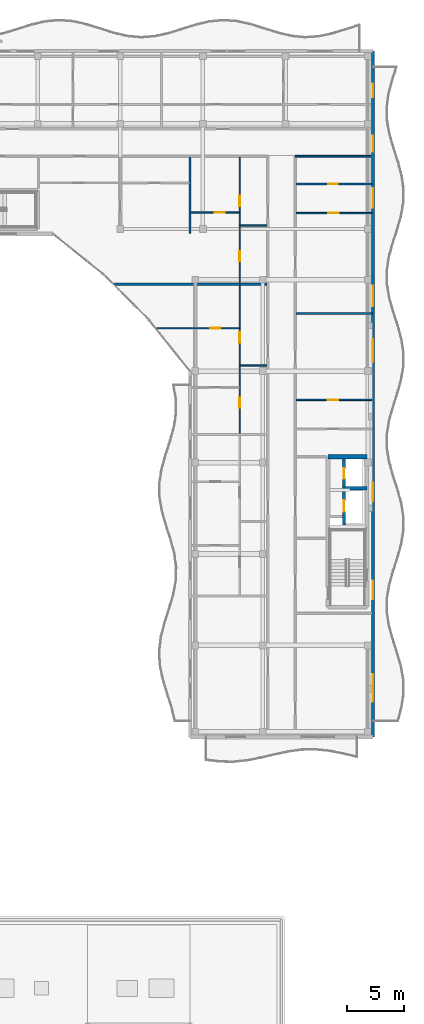
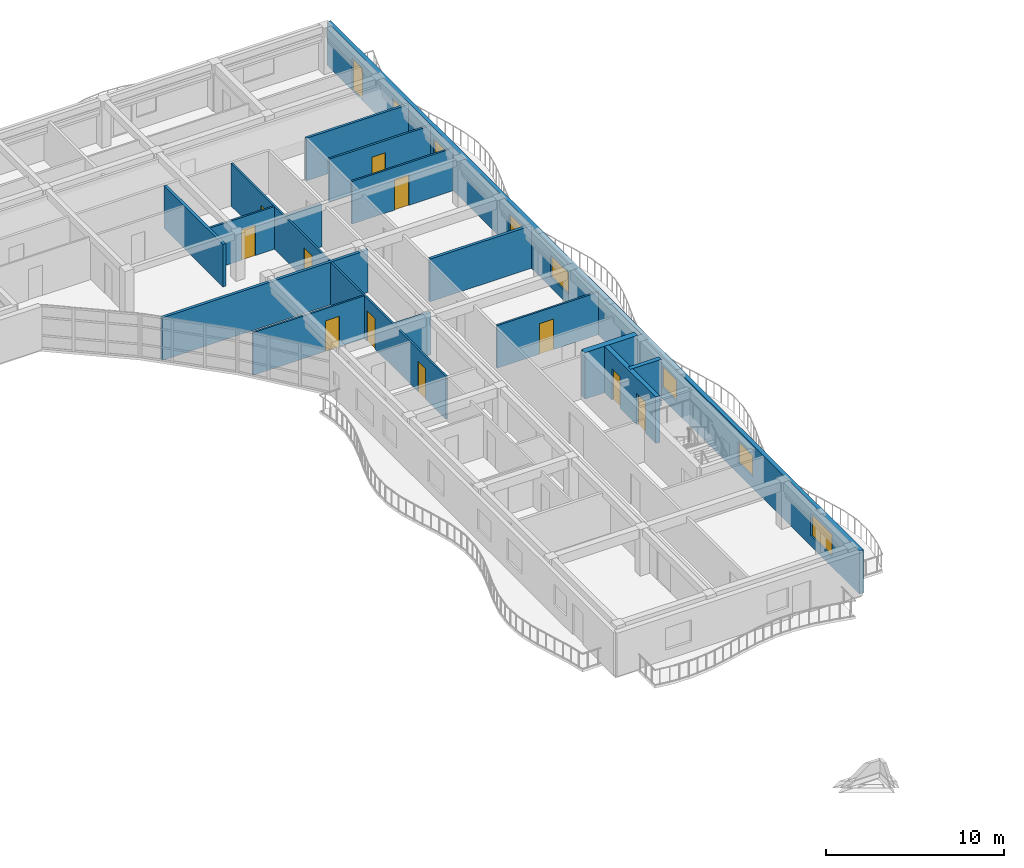
# One storey, part 52 of 79: 17 walls, 12 doors, 7 windows, 19 openings.
"""IFC4 building model written with IfcOpenShell, lengths in metres."""

from ifc_helpers import new_model, si_unit, direction, frame, frame_2d, origin, place, context, subcontext, project, spatial, rectangle, extrude, material, layer, layer_set, type_object, element, fill, save


model = new_model("IFC4")

# Units and contexts
model_context = context("Model", 3, precision=1e-05, world=origin(), true_north=direction((0.0, 1.0)))
body_context = subcontext(model_context, "Body", "Model", "MODEL_VIEW")
ifc_project = project(units=[si_unit("LENGTHUNIT", "METRE"), si_unit("AREAUNIT", "SQUARE_METRE"), si_unit("VOLUMEUNIT", "CUBIC_METRE"), si_unit("PLANEANGLEUNIT", "RADIAN"), si_unit("MASSUNIT", "GRAM", prefix="KILO")], contexts=[model_context])

# Site, building, storey
site_placement = place(None, origin())
site = spatial("IfcSite", under=ifc_project, at=site_placement, CompositionType="ELEMENT")
building_placement = place(site_placement, origin())
building = spatial("IfcBuilding", under=site, at=building_placement, Name="Keldmere Railside Commons", CompositionType="ELEMENT")
storey_placement = place(building_placement, frame((0.0, 0.0, 10.56005859375)))
storey = spatial("IfcBuildingStorey", under=building, at=storey_placement, Name="L03", CompositionType="ELEMENT", Elevation=10.56005859375)

# Walls
ifc_material_1 = material(Name="Acoustic Gypsum Board Partition", Category="gypsum")
ifc_layer_1 = layer(ifc_material_1, 0.179931640625, Name="Acoustic Demising Partition 180")
ifc_layer_set_1 = layer_set([ifc_layer_1], Name="Acoustic Gypsum Board Partition")
wall_type_1 = type_object("IfcWallType", Name="Acoustic Demising Partition 180", PredefinedType="PARTITIONING", material=ifc_layer_set_1)
wall_1_placement = place(storey_placement, frame((168.0, 100.050048828125, 0.0), z_axis=(0.0, 0.0, 1.0), x_axis=(0.0, 1.0, 0.0)))
element("IfcWall", 1, at=wall_1_placement, inside=storey, type_object=wall_type_1, Name="IW-1 IW-L03-1514", PredefinedType="PARTITIONING", context=body_context, shape_type="SweptSolid", body=[
    extrude(rectangle(XDim=6.669921875, YDim=0.179931640625, at=frame_2d((3.3349609375, 0.0))), origin(), (0.0, 0.0, 1.0), 2.93505859375),
])
wall_2_placement = place(storey_placement, frame((161.33251953125, 95.60009765625, 0.0), z_axis=(0.0, 0.0, 1.0), x_axis=(1.0, 0.0, 0.0)))
element("IfcWall", 2, at=wall_2_placement, inside=storey, type_object=wall_type_1, Name="IW-1 IW-L03-1519", PredefinedType="PARTITIONING", context=body_context, shape_type="SweptSolid", body=[
    extrude(rectangle(XDim=13.387451171875, YDim=0.179931640625, at=frame_2d((6.69384765625, 0.0))), origin(), (0.0, 0.0, 1.0), 2.93505859375),
])
wall_3_placement = place(storey_placement, frame((177.280029296875, 93.050048828125, 0.0), z_axis=(0.0, 0.0, 1.0), x_axis=(1.0, 0.0, 0.0)))
element("IfcWall", 3, at=wall_3_placement, inside=storey, type_object=wall_type_1, Name="IW-1 IW-L03-1541", PredefinedType="PARTITIONING", context=body_context, shape_type="SweptSolid", body=[
    extrude(rectangle(XDim=6.679931640625, YDim=0.179931640625, at=frame_2d((3.33984375, 0.0))), origin(), (0.0, 0.0, 1.0), 2.93505859375),
])

# Wall, openings, doors
ifc_layer_2 = layer(ifc_material_1, 0.1201171875, Name="Apartment Interior Partition 120")
ifc_layer_set_2 = layer_set([ifc_layer_2], Name="Acoustic Gypsum Board Partition")
wall_type_2 = type_object("IfcWallType", Name="Apartment Interior Partition 120", PredefinedType="PARTITIONING", material=ifc_layer_set_2)
wall_4_placement = place(storey_placement, frame((172.340087890625, 82.550048828125, 0.0), z_axis=(0.0, 0.0, 1.0), x_axis=(0.0, 1.0, 0.0)))
wall_4 = element("IfcWall", 4, at=wall_4_placement, inside=storey, type_object=wall_type_2, Name="IW-4 IW-L03-1524", PredefinedType="PARTITIONING", context=body_context, shape_type="SweptSolid", body=[
    extrude(rectangle(XDim=12.9599609375, YDim=0.1201171875, at=frame_2d((6.47998046875, 0.0))), origin(), (0.0, 0.0, 1.0), 2.93505859375),
])
opening_1_placement = place(wall_4_placement, frame((2.264892578125, 0.0, 0.0)))
opening_1 = element("IfcOpeningElement", 5, at=opening_1_placement, cuts=wall_4, Name="Opening ID-04", PredefinedType="OPENING", context=body_context, shape_type="SweptSolid", body=[
    extrude(rectangle(XDim=0.860107421875, YDim=2.10009765625, at=frame_2d((0.43017578125, 1.050048828125))), frame((0.0, 0.070068359375, 0.0), z_axis=(0.0, -1.0, 0.0), x_axis=(1.0, 0.0, 0.0)), (0.0, 0.0, 1.0), 0.14013671875),
])
opening_2_placement = place(wall_4_placement, frame((7.919921875, 0.0, 0.0)))
opening_2 = element("IfcOpeningElement", 6, at=opening_2_placement, cuts=wall_4, Name="Opening ID-03", PredefinedType="OPENING", context=body_context, shape_type="SweptSolid", body=[
    extrude(rectangle(XDim=0.919921875, YDim=2.10009765625, at=frame_2d((0.4599609375, 1.050048828125))), frame((0.0, 0.070068359375, 0.0), z_axis=(0.0, -1.0, 0.0), x_axis=(1.0, 0.0, 0.0)), (0.0, 0.0, 1.0), 0.14013671875),
])
ifc_material_2 = material(Name="Engineered Oak Timber", Category="wood")
door_type_1 = type_object("IfcDoorType", Name="Apartment Bathroom Door 860x2100", OperationType="NOTDEFINED", PredefinedType="DOOR", material=ifc_material_2)
door_1_placement = place(opening_1_placement, origin())
door_1 = element("IfcDoor", 7, at=door_1_placement, inside=storey, type_object=door_type_1, Name="ID-04 IDR-L03-1368", OperationType="SINGLE_SWING_RIGHT", OverallHeight=2.10009765625, OverallWidth=0.860107421875, PredefinedType="DOOR", context=body_context, shape_type="SweptSolid", body=[
    extrude(rectangle(XDim=0.860107421875, YDim=2.10009765625, at=frame_2d((0.43017578125, 1.050048828125))), frame((0.0, 0.02490234375, 0.0), z_axis=(0.0, -1.0, 0.0), x_axis=(1.0, 0.0, 0.0)), (0.0, 0.0, 1.0), 0.050048828125),
])
fill(opening_1, door_1)
door_type_2 = type_object("IfcDoorType", Name="Kitchen Pocket-Frame Swing Door 920x2100", OperationType="NOTDEFINED", PredefinedType="DOOR", material=ifc_material_2)
door_2_placement = place(opening_2_placement, origin())
door_2 = element("IfcDoor", 8, at=door_2_placement, inside=storey, type_object=door_type_2, Name="ID-03 IDR-L03-1369", OperationType="SINGLE_SWING_LEFT", OverallHeight=2.10009765625, OverallWidth=0.919921875, PredefinedType="DOOR", context=body_context, shape_type="SweptSolid", body=[
    extrude(rectangle(XDim=0.919921875, YDim=2.10009765625, at=frame_2d((0.4599609375, 1.050048828125))), frame((0.0, 0.02490234375, 0.0), z_axis=(0.0, -1.0, 0.0), x_axis=(1.0, 0.0, 0.0)), (0.0, 0.0, 1.0), 0.050048828125),
])
fill(opening_2, door_2)

# Wall, opening, door
wall_5_placement = place(storey_placement, frame((165.042724609375, 91.75, 0.0), z_axis=(0.0, 0.0, 1.0), x_axis=(1.0, 0.0, 0.0)))
wall_5 = element("IfcWall", 9, at=wall_5_placement, inside=storey, type_object=wall_type_2, Name="IW-4 IW-L03-1527", PredefinedType="PARTITIONING", context=body_context, shape_type="SweptSolid", body=[
    extrude(rectangle(XDim=7.2373046875, YDim=0.1201171875, at=frame_2d((3.61865234375, 0.0))), origin(), (0.0, 0.0, 1.0), 2.93505859375),
])
opening_3_placement = place(wall_5_placement, frame((4.721923828125, 0.0, 0.0)))
opening_3 = element("IfcOpeningElement", 10, at=opening_3_placement, cuts=wall_5, Name="Opening ID-02", PredefinedType="OPENING", context=body_context, shape_type="SweptSolid", body=[
    extrude(rectangle(XDim=0.8798828125, YDim=2.10009765625, at=frame_2d((0.43994140625, 1.050048828125))), frame((0.0, 0.070068359375, 0.0), z_axis=(0.0, -1.0, 0.0), x_axis=(1.0, 0.0, 0.0)), (0.0, 0.0, 1.0), 0.14013671875),
])
door_type_3 = type_object("IfcDoorType", Name="Secondary Bedroom Door 880x2100", OperationType="NOTDEFINED", PredefinedType="DOOR", material=ifc_material_2)
door_3_placement = place(opening_3_placement, origin())
door_3 = element("IfcDoor", 11, at=door_3_placement, inside=storey, type_object=door_type_3, Name="ID-02 IDR-L03-1372", OperationType="SINGLE_SWING_RIGHT", OverallHeight=2.10009765625, OverallWidth=0.8798828125, PredefinedType="DOOR", context=body_context, shape_type="SweptSolid", body=[
    extrude(rectangle(XDim=0.8798828125, YDim=2.10009765625, at=frame_2d((0.43994140625, 1.050048828125))), frame((0.0, 0.02490234375, 0.0), z_axis=(0.0, -1.0, 0.0), x_axis=(1.0, 0.0, 0.0)), (0.0, 0.0, 1.0), 0.050048828125),
])
fill(opening_3, door_3)

# Wall, openings, doors
wall_6_placement = place(storey_placement, frame((172.340087890625, 95.68994140625, 0.0), z_axis=(0.0, 0.0, 1.0), x_axis=(0.0, 1.0, 0.0)))
wall_6 = element("IfcWall", 12, at=wall_6_placement, inside=storey, type_object=wall_type_2, Name="IW-4 IW-L03-1528", PredefinedType="PARTITIONING", context=body_context, shape_type="SweptSolid", body=[
    extrude(rectangle(XDim=11.030029296875, YDim=0.1201171875, at=frame_2d((5.51513671875, 0.0))), origin(), (0.0, 0.0, 1.0), 2.93505859375),
])
opening_4_placement = place(wall_6_placement, frame((1.926513671875, 0.0, 0.0)))
opening_4 = element("IfcOpeningElement", 13, at=opening_4_placement, cuts=wall_6, Name="Opening ID-04", PredefinedType="OPENING", context=body_context, shape_type="SweptSolid", body=[
    extrude(rectangle(XDim=0.860107421875, YDim=2.10009765625, at=frame_2d((0.43017578125, 1.050048828125))), frame((0.0, 0.070068359375, 0.0), z_axis=(0.0, -1.0, 0.0), x_axis=(1.0, 0.0, 0.0)), (0.0, 0.0, 1.0), 0.14013671875),
])
opening_5_placement = place(wall_6_placement, frame((6.73876953125, 0.0, 0.0)))
opening_5 = element("IfcOpeningElement", 14, at=opening_5_placement, cuts=wall_6, Name="Opening ID-03", PredefinedType="OPENING", context=body_context, shape_type="SweptSolid", body=[
    extrude(rectangle(XDim=0.919921875, YDim=2.10009765625, at=frame_2d((0.4599609375, 1.050048828125))), frame((0.0, 0.070068359375, 0.0), z_axis=(0.0, -1.0, 0.0), x_axis=(1.0, 0.0, 0.0)), (0.0, 0.0, 1.0), 0.14013671875),
])
door_4_placement = place(opening_4_placement, origin())
door_4 = element("IfcDoor", 15, at=door_4_placement, inside=storey, type_object=door_type_1, Name="ID-04 IDR-L03-1373", OperationType="SINGLE_SWING_LEFT", OverallHeight=2.10009765625, OverallWidth=0.860107421875, PredefinedType="DOOR", context=body_context, shape_type="SweptSolid", body=[
    extrude(rectangle(XDim=0.860107421875, YDim=2.10009765625, at=frame_2d((0.43017578125, 1.050048828125))), frame((0.0, 0.02490234375, 0.0), z_axis=(0.0, -1.0, 0.0), x_axis=(1.0, 0.0, 0.0)), (0.0, 0.0, 1.0), 0.050048828125),
])
fill(opening_4, door_4)
door_5_placement = place(opening_5_placement, origin())
door_5 = element("IfcDoor", 16, at=door_5_placement, inside=storey, type_object=door_type_2, Name="ID-03 IDR-L03-1374", OperationType="SINGLE_SWING_RIGHT", OverallHeight=2.10009765625, OverallWidth=0.919921875, PredefinedType="DOOR", context=body_context, shape_type="SweptSolid", body=[
    extrude(rectangle(XDim=0.919921875, YDim=2.10009765625, at=frame_2d((0.4599609375, 1.050048828125))), frame((0.0, 0.02490234375, 0.0), z_axis=(0.0, -1.0, 0.0), x_axis=(1.0, 0.0, 0.0)), (0.0, 0.0, 1.0), 0.050048828125),
])
fill(opening_5, door_5)

# Wall, opening, door
wall_7_placement = place(storey_placement, frame((168.090087890625, 101.8701171875, 0.0), z_axis=(0.0, 0.0, 1.0), x_axis=(1.0, 0.0, 0.0)))
wall_7 = element("IfcWall", 17, at=wall_7_placement, inside=storey, type_object=wall_type_2, Name="IW-4 IW-L03-1530", PredefinedType="PARTITIONING", context=body_context, shape_type="SweptSolid", body=[
    extrude(rectangle(XDim=4.18994140625, YDim=0.1201171875, at=frame_2d((2.094970703125, 0.0))), origin(), (0.0, 0.0, 1.0), 2.93505859375),
])
opening_6_placement = place(wall_7_placement, frame((2.044921875, 0.0, 0.0)))
opening_6 = element("IfcOpeningElement", 18, at=opening_6_placement, cuts=wall_7, Name="Opening ID-01", PredefinedType="OPENING", context=body_context, shape_type="SweptSolid", body=[
    extrude(rectangle(XDim=0.89990234375, YDim=2.10009765625, at=frame_2d((0.449951171875, 1.050048828125))), frame((0.0, 0.070068359375, 0.0), z_axis=(0.0, -1.0, 0.0), x_axis=(1.0, 0.0, 0.0)), (0.0, 0.0, 1.0), 0.14013671875),
])
door_type_4 = type_object("IfcDoorType", Name="Primary Bedroom Door 900x2100", OperationType="NOTDEFINED", PredefinedType="DOOR", material=ifc_material_2)
door_6_placement = place(opening_6_placement, origin())
door_6 = element("IfcDoor", 19, at=door_6_placement, inside=storey, type_object=door_type_4, Name="ID-01 IDR-L03-1376", OperationType="SINGLE_SWING_RIGHT", OverallHeight=2.10009765625, OverallWidth=0.89990234375, PredefinedType="DOOR", context=body_context, shape_type="SweptSolid", body=[
    extrude(rectangle(XDim=0.89990234375, YDim=2.10009765625, at=frame_2d((0.449951171875, 1.050048828125))), frame((0.0, 0.02490234375, 0.0), z_axis=(0.0, -1.0, 0.0), x_axis=(1.0, 0.0, 0.0)), (0.0, 0.0, 1.0), 0.050048828125),
])
fill(opening_6, door_6)

wall_8_placement = place(storey_placement, frame((177.280029296875, 85.47998046875, 0.0), z_axis=(0.0, 0.0, 1.0), x_axis=(1.0, 0.0, 0.0)))
wall_8 = element("IfcWall", 20, at=wall_8_placement, inside=storey, type_object=wall_type_2, Name="IW-4 IW-L03-1543", PredefinedType="PARTITIONING", context=body_context, shape_type="SweptSolid", body=[
    extrude(rectangle(XDim=6.590087890625, YDim=0.1201171875, at=frame_2d((3.294921875, 0.0))), origin(), (0.0, 0.0, 1.0), 2.93505859375),
])
opening_7_placement = place(wall_8_placement, frame((2.767822265625, 0.0, 0.0)))
opening_7 = element("IfcOpeningElement", 21, at=opening_7_placement, cuts=wall_8, Name="Opening ID-03", PredefinedType="OPENING", context=body_context, shape_type="SweptSolid", body=[
    extrude(rectangle(XDim=0.919921875, YDim=2.10009765625, at=frame_2d((0.4599609375, 1.050048828125))), frame((0.0, 0.070068359375, 0.0), z_axis=(0.0, -1.0, 0.0), x_axis=(1.0, 0.0, 0.0)), (0.0, 0.0, 1.0), 0.14013671875),
])
door_7_placement = place(opening_7_placement, origin())
door_7 = element("IfcDoor", 22, at=door_7_placement, inside=storey, type_object=door_type_2, Name="ID-03 IDR-L03-1393", OperationType="SINGLE_SWING_LEFT", OverallHeight=2.10009765625, OverallWidth=0.919921875, PredefinedType="DOOR", context=body_context, shape_type="SweptSolid", body=[
    extrude(rectangle(XDim=0.919921875, YDim=2.10009765625, at=frame_2d((0.4599609375, 1.050048828125))), frame((0.0, 0.02490234375, 0.0), z_axis=(0.0, -1.0, 0.0), x_axis=(1.0, 0.0, 0.0)), (0.0, 0.0, 1.0), 0.050048828125),
])
fill(opening_7, door_7)

wall_9_placement = place(storey_placement, frame((177.280029296875, 101.820068359375, 0.0), z_axis=(0.0, 0.0, 1.0), x_axis=(1.0, 0.0, 0.0)))
wall_9 = element("IfcWall", 23, at=wall_9_placement, inside=storey, type_object=wall_type_2, Name="IW-4 IW-L03-1544", PredefinedType="PARTITIONING", context=body_context, shape_type="SweptSolid", body=[
    extrude(rectangle(XDim=6.6298828125, YDim=0.1201171875, at=frame_2d((3.31494140625, 0.0))), origin(), (0.0, 0.0, 1.0), 2.93505859375),
])
opening_8_placement = place(wall_9_placement, frame((2.78466796875, 0.0, 0.0)))
opening_8 = element("IfcOpeningElement", 24, at=opening_8_placement, cuts=wall_9, Name="Opening ID-03", PredefinedType="OPENING", context=body_context, shape_type="SweptSolid", body=[
    extrude(rectangle(XDim=0.919921875, YDim=2.10009765625, at=frame_2d((0.4599609375, 1.050048828125))), frame((0.0, 0.070068359375, 0.0), z_axis=(0.0, -1.0, 0.0), x_axis=(1.0, 0.0, 0.0)), (0.0, 0.0, 1.0), 0.14013671875),
])
door_8_placement = place(opening_8_placement, origin())
door_8 = element("IfcDoor", 25, at=door_8_placement, inside=storey, type_object=door_type_2, Name="ID-03 IDR-L03-1396", OperationType="SINGLE_SWING_RIGHT", OverallHeight=2.10009765625, OverallWidth=0.919921875, PredefinedType="DOOR", context=body_context, shape_type="SweptSolid", body=[
    extrude(rectangle(XDim=0.919921875, YDim=2.10009765625, at=frame_2d((0.4599609375, 1.050048828125))), frame((0.0, 0.02490234375, 0.0), z_axis=(0.0, -1.0, 0.0), x_axis=(1.0, 0.0, 0.0)), (0.0, 0.0, 1.0), 0.050048828125),
])
fill(opening_8, door_8)

# Wall
ifc_material_3 = material(Name="Concrete H-35 (C35/45)", Category="concrete")
ifc_layer_3 = layer(ifc_material_3, 0.280029296875, Name="Core Shear Wall 280")
ifc_layer_set_3 = layer_set([ifc_layer_3], Name="Concrete H-35 (C35/45)")
wall_type_3 = type_object("IfcWallType", Name="Core Shear Wall 280", PredefinedType="SHEAR", material=ifc_layer_set_3)
wall_10_placement = place(storey_placement, frame((181.469970703125, 77.75, 0.0), z_axis=(0.0, 0.0, 1.0), x_axis=(1.0, 0.0, 0.0)))
element("IfcWall", 26, at=wall_10_placement, inside=storey, type_object=wall_type_3, Name="CSW-2 COREAL-L03-0749", PredefinedType="SHEAR", context=body_context, shape_type="SweptSolid", body=[
    extrude(rectangle(XDim=2.0, YDim=0.280029296875, at=frame_2d((1.0, 0.0))), origin(), (0.0, 0.0, 1.0), 3.199951171875),
])

# Wall, openings, doors
wall_11_placement = place(storey_placement, frame((181.469970703125, 74.550048828125, 0.0), z_axis=(0.0, 0.0, 1.0), x_axis=(0.0, 1.0, 0.0)))
wall_11 = element("IfcWall", 27, at=wall_11_placement, inside=storey, type_object=wall_type_3, Name="CSW-2 LSHA-L03-0750", PredefinedType="SHEAR", context=body_context, shape_type="SweptSolid", body=[
    extrude(rectangle(XDim=5.949951171875, YDim=0.280029296875, at=frame_2d((2.97509765625, 0.0))), origin(), (0.0, 0.0, 1.0), 3.199951171875),
])
opening_9_placement = place(wall_11_placement, frame((1.14990234375, 0.0, 0.0)))
opening_9 = element("IfcOpeningElement", 28, at=opening_9_placement, cuts=wall_11, Name="Opening LD-1", PredefinedType="OPENING", context=body_context, shape_type="SweptSolid", body=[
    extrude(rectangle(XDim=1.0, YDim=2.14990234375, at=frame_2d((0.5, 1.074951171875))), frame((0.0, 0.14990234375, 0.0), z_axis=(0.0, -1.0, 0.0), x_axis=(1.0, 0.0, 0.0)), (0.0, 0.0, 1.0), 0.300048828125),
])
opening_10_placement = place(wall_11_placement, frame((4.050048828125, 0.0, 0.0)))
opening_10 = element("IfcOpeningElement", 29, at=opening_10_placement, cuts=wall_11, Name="Opening LD-2", PredefinedType="OPENING", context=body_context, shape_type="SweptSolid", body=[
    extrude(rectangle(XDim=0.89990234375, YDim=2.14990234375, at=frame_2d((0.449951171875, 1.074951171875))), frame((0.0, 0.14990234375, 0.0), z_axis=(0.0, -1.0, 0.0), x_axis=(1.0, 0.0, 0.0)), (0.0, 0.0, 1.0), 0.300048828125),
])
ifc_material_4 = material(Name="Steel F-24 (S235)", Category="steel")
door_type_5 = type_object("IfcDoorType", Name="Firefighting Stretcher Lift Landing Door 1000x2150", OperationType="SLIDING_TO_LEFT", PredefinedType="DOOR", material=ifc_material_4)
door_9_placement = place(opening_9_placement, origin())
door_9 = element("IfcDoor", 30, at=door_9_placement, inside=storey, type_object=door_type_5, Name="LD-1 A L03", OperationType="SLIDING_TO_LEFT", OverallHeight=2.14990234375, OverallWidth=1.0, PredefinedType="DOOR", context=body_context, shape_type="SweptSolid", body=[
    extrude(rectangle(XDim=1.0, YDim=2.14990234375, at=frame_2d((0.5, 1.074951171875))), frame((0.0, 0.02490234375, 0.0), z_axis=(0.0, -1.0, 0.0), x_axis=(1.0, 0.0, 0.0)), (0.0, 0.0, 1.0), 0.050048828125),
])
fill(opening_9, door_9)
door_type_6 = type_object("IfcDoorType", Name="Passenger Lift Sliding Landing Door 900x2150", OperationType="SLIDING_TO_RIGHT", PredefinedType="DOOR", material=ifc_material_4)
door_10_placement = place(opening_10_placement, origin())
door_10 = element("IfcDoor", 31, at=door_10_placement, inside=storey, type_object=door_type_6, Name="LD-2 A L03", OperationType="SLIDING_TO_RIGHT", OverallHeight=2.14990234375, OverallWidth=0.89990234375, PredefinedType="DOOR", context=body_context, shape_type="SweptSolid", body=[
    extrude(rectangle(XDim=0.89990234375, YDim=2.14990234375, at=frame_2d((0.449951171875, 1.074951171875))), frame((0.0, 0.02490234375, 0.0), z_axis=(0.0, -1.0, 0.0), x_axis=(1.0, 0.0, 0.0)), (0.0, 0.0, 1.0), 0.050048828125),
])
fill(opening_10, door_10)

# Walls
ifc_material_5 = material(Name="Concrete H-40 (C40/50)", Category="concrete")
ifc_layer_4 = layer(ifc_material_5, 0.3798828125, Name="Core Shear Wall 380")
ifc_layer_set_4 = layer_set([ifc_layer_4], Name="Concrete H-40 (C40/50)")
wall_type_4 = type_object("IfcWallType", Name="Core Shear Wall 380", PredefinedType="SHEAR", material=ifc_layer_set_4)
wall_12_placement = place(storey_placement, frame((180.06005859375, 80.5, 0.0), z_axis=(0.0, 0.0, 1.0), x_axis=(1.0, 0.0, 0.0)))
element("IfcWall", 32, at=wall_12_placement, inside=storey, type_object=wall_type_4, Name="CW-CORE COREAN-L03-0745", PredefinedType="SHEAR", context=body_context, shape_type="SweptSolid", body=[
    extrude(rectangle(XDim=3.409912109375, YDim=0.3798828125, at=frame_2d((1.705078125, 0.0))), origin(), (0.0, 0.0, 1.0), 3.199951171875),
])
ifc_layer_5 = layer(ifc_material_1, 0.159912109375, Name="Corridor Fire Partition 160")
ifc_layer_set_5 = layer_set([ifc_layer_5], Name="Acoustic Gypsum Board Partition")
wall_type_5 = type_object("IfcWallType", Name="Corridor Fire Partition 160", PredefinedType="PARTITIONING", material=ifc_layer_set_5)
wall_13_placement = place(storey_placement, frame((177.199951171875, 106.800048828125, 0.0), z_axis=(0.0, 0.0, 1.0), x_axis=(1.0, 0.0, 0.0)))
element("IfcWall", 33, at=wall_13_placement, inside=storey, type_object=wall_type_5, Name="IW-2 IW-L03-1512", PredefinedType="PARTITIONING", context=body_context, shape_type="SweptSolid", body=[
    extrude(rectangle(XDim=6.6201171875, YDim=0.159912109375, at=frame_2d((3.31005859375, 0.0))), origin(), (0.0, 0.0, 1.0), 2.93505859375),
])

# Wall, openings, door, windows
ifc_material_6 = material(Name="Terracotta Brick Masonry", Category="masonry")
ifc_layer_6 = layer(ifc_material_6, 0.260009765625, Name="Terracotta Cavity Wall 260")
ifc_layer_set_6 = layer_set([ifc_layer_6], Name="Terracotta Brick Masonry")
wall_type_6 = type_object("IfcWallType", Name="Terracotta Cavity Wall 260", PredefinedType="SOLIDWALL", material=ifc_layer_set_6)
wall_14_placement = place(storey_placement, frame((184.0, 116.0, 0.0), z_axis=(0.0, 0.0, 1.0), x_axis=(0.0, -1.0, 0.0)))
wall_14 = element("IfcWall", 34, at=wall_14_placement, inside=storey, type_object=wall_type_6, Name="EW-1 EXTA-L03-0897", PredefinedType="SOLIDWALL", context=body_context, shape_type="SweptSolid", body=[
    extrude(rectangle(XDim=60.0, YDim=0.260009765625, at=frame_2d((30.0, 0.0))), origin(), (0.0, 0.0, 1.0), 2.97998046875),
])
opening_11_placement = place(wall_14_placement, frame((2.835693359375, 0.0, 0.0)))
opening_11 = element("IfcOpeningElement", 35, at=opening_11_placement, cuts=wall_14, Name="Opening BD-01", PredefinedType="OPENING", context=body_context, shape_type="SweptSolid", body=[
    extrude(rectangle(XDim=1.199951171875, YDim=2.199951171875, at=frame_2d((0.60009765625, 1.10009765625))), frame((0.0, 0.139892578125, 0.0), z_axis=(0.0, -1.0, 0.0), x_axis=(1.0, 0.0, 0.0)), (0.0, 0.0, 1.0), 0.280029296875),
])
opening_12_placement = place(wall_14_placement, frame((7.3857421875, 0.0, 0.8701171875)))
opening_12 = element("IfcOpeningElement", 36, at=opening_12_placement, cuts=wall_14, Name="Opening WN-08", PredefinedType="OPENING", context=body_context, shape_type="SweptSolid", body=[
    extrude(rectangle(XDim=1.39990234375, YDim=1.35009765625, at=frame_2d((0.699951171875, 0.675048828125))), frame((0.0, 0.139892578125, 0.0), z_axis=(0.0, -1.0, 0.0), x_axis=(1.0, 0.0, 0.0)), (0.0, 0.0, 1.0), 0.280029296875),
])
opening_13_placement = place(wall_14_placement, frame((12.01708984375, 0.0, 0.719970703125)))
opening_13 = element("IfcOpeningElement", 37, at=opening_13_placement, cuts=wall_14, Name="Opening WN-40", PredefinedType="OPENING", context=body_context, shape_type="SweptSolid", body=[
    extrude(rectangle(XDim=1.679931640625, YDim=1.5, at=frame_2d((0.83984375, 0.75))), frame((0.0, 0.139892578125, 0.0), z_axis=(0.0, -1.0, 0.0), x_axis=(1.0, 0.0, 0.0)), (0.0, 0.0, 1.0), 0.280029296875),
])
opening_14_placement = place(wall_14_placement, frame((20.528564453125, 0.0, 0.719970703125)))
opening_14 = element("IfcOpeningElement", 38, at=opening_14_placement, cuts=wall_14, Name="Opening WN-01", PredefinedType="OPENING", context=body_context, shape_type="SweptSolid", body=[
    extrude(rectangle(XDim=1.800048828125, YDim=1.5, at=frame_2d((0.89990234375, 0.75))), frame((0.0, 0.139892578125, 0.0), z_axis=(0.0, -1.0, 0.0), x_axis=(1.0, 0.0, 0.0)), (0.0, 0.0, 1.0), 0.280029296875),
])
opening_15_placement = place(wall_14_placement, frame((25.199951171875, 0.0, 0.719970703125)))
opening_15 = element("IfcOpeningElement", 39, at=opening_15_placement, cuts=wall_14, Name="Opening WN-02", PredefinedType="OPENING", context=body_context, shape_type="SweptSolid", body=[
    extrude(rectangle(XDim=2.0, YDim=1.5, at=frame_2d((1.0, 0.75))), frame((0.0, 0.139892578125, 0.0), z_axis=(0.0, -1.0, 0.0), x_axis=(1.0, 0.0, 0.0)), (0.0, 0.0, 1.0), 0.280029296875),
])
opening_16_placement = place(wall_14_placement, frame((37.746337890625, 0.0, 0.77001953125)))
opening_16 = element("IfcOpeningElement", 40, at=opening_16_placement, cuts=wall_14, Name="Opening WN-03", PredefinedType="OPENING", context=body_context, shape_type="SweptSolid", body=[
    extrude(rectangle(XDim=1.64990234375, YDim=1.449951171875, at=frame_2d((0.824951171875, 0.72509765625))), frame((0.0, 0.139892578125, 0.0), z_axis=(0.0, -1.0, 0.0), x_axis=(1.0, 0.0, 0.0)), (0.0, 0.0, 1.0), 0.280029296875),
])
opening_17_placement = place(wall_14_placement, frame((46.343017578125, 0.0, 0.77001953125)))
opening_17 = element("IfcOpeningElement", 41, at=opening_17_placement, cuts=wall_14, Name="Opening WN-04", PredefinedType="OPENING", context=body_context, shape_type="SweptSolid", body=[
    extrude(rectangle(XDim=1.60009765625, YDim=1.449951171875, at=frame_2d((0.800048828125, 0.72509765625))), frame((0.0, 0.139892578125, 0.0), z_axis=(0.0, -1.0, 0.0), x_axis=(1.0, 0.0, 0.0)), (0.0, 0.0, 1.0), 0.280029296875),
])
opening_18_placement = place(wall_14_placement, frame((54.514404296875, 0.0, 0.719970703125)))
opening_18 = element("IfcOpeningElement", 42, at=opening_18_placement, cuts=wall_14, Name="Opening WN-05", PredefinedType="OPENING", context=body_context, shape_type="SweptSolid", body=[
    extrude(rectangle(XDim=2.39990234375, YDim=1.5, at=frame_2d((1.199951171875, 0.75))), frame((0.0, 0.139892578125, 0.0), z_axis=(0.0, -1.0, 0.0), x_axis=(1.0, 0.0, 0.0)), (0.0, 0.0, 1.0), 0.280029296875),
])
ifc_material_7 = material(Name="Thermally Broken Aluminium", Category="aluminium")
door_type_7 = type_object("IfcDoorType", Name="Apartment Living Wave-Balcony Glazed Door 1200x2200", OperationType="NOTDEFINED", PredefinedType="DOOR", material=ifc_material_7)
door_11_placement = place(opening_11_placement, origin())
door_11 = element("IfcDoor", 43, at=door_11_placement, inside=storey, type_object=door_type_7, Name="BD-01 DR-L03-0233", OperationType="SINGLE_SWING_LEFT", OverallHeight=2.199951171875, OverallWidth=1.199951171875, PredefinedType="DOOR", context=body_context, shape_type="SweptSolid", body=[
    extrude(rectangle(XDim=1.199951171875, YDim=2.199951171875, at=frame_2d((0.60009765625, 1.10009765625))), frame((0.0, 0.02490234375, 0.0), z_axis=(0.0, -1.0, 0.0), x_axis=(1.0, 0.0, 0.0)), (0.0, 0.0, 1.0), 0.050048828125),
])
fill(opening_11, door_11)
ifc_material_8 = material(Name="Low-E Insulated Double Glazing", Category="glass")
window_type_1 = type_object("IfcWindowType", Name="Corner Dual-Aspect Ribbon Window 2400x1500", PartitioningType="SINGLE_PANEL", PredefinedType="WINDOW", material=ifc_material_8)
window_1_placement = place(opening_18_placement, origin())
window_1 = element("IfcWindow", 44, at=window_1_placement, inside=storey, type_object=window_type_1, Name="WN-05 WIN-L03-0631", OverallHeight=1.5, OverallWidth=2.39990234375, PartitioningType="SINGLE_PANEL", PredefinedType="WINDOW", context=body_context, shape_type="SweptSolid", body=[
    extrude(rectangle(XDim=2.39990234375, YDim=1.5, at=frame_2d((1.199951171875, 0.75))), frame((0.0, 0.030029296875, 0.0), z_axis=(0.0, -1.0, 0.0), x_axis=(1.0, 0.0, 0.0)), (0.0, 0.0, 1.0), 0.06005859375),
])
fill(opening_18, window_1)
window_type_2 = type_object("IfcWindowType", Name="Living Room East Shaded Window 1650x1450", PartitioningType="SINGLE_PANEL", PredefinedType="WINDOW", material=ifc_material_8)
window_2_placement = place(opening_16_placement, origin())
window_2 = element("IfcWindow", 45, at=window_2_placement, inside=storey, type_object=window_type_2, Name="WN-03 WIN-L03-0629", OverallHeight=1.449951171875, OverallWidth=1.64990234375, PartitioningType="SINGLE_PANEL", PredefinedType="WINDOW", context=body_context, shape_type="SweptSolid", body=[
    extrude(rectangle(XDim=1.64990234375, YDim=1.449951171875, at=frame_2d((0.824951171875, 0.72509765625))), frame((0.0, 0.030029296875, 0.0), z_axis=(0.0, -1.0, 0.0), x_axis=(1.0, 0.0, 0.0)), (0.0, 0.0, 1.0), 0.06005859375),
])
fill(opening_16, window_2)
window_type_3 = type_object("IfcWindowType", Name="Living Room North Casement Window 1800x1500", PartitioningType="SINGLE_PANEL", PredefinedType="WINDOW", material=ifc_material_8)
window_3_placement = place(opening_14_placement, origin())
window_3 = element("IfcWindow", 46, at=window_3_placement, inside=storey, type_object=window_type_3, Name="WN-01 WIN-L03-0627", OverallHeight=1.5, OverallWidth=1.800048828125, PartitioningType="SINGLE_PANEL", PredefinedType="WINDOW", context=body_context, shape_type="SweptSolid", body=[
    extrude(rectangle(XDim=1.800048828125, YDim=1.5, at=frame_2d((0.89990234375, 0.75))), frame((0.0, 0.030029296875, 0.0), z_axis=(0.0, -1.0, 0.0), x_axis=(1.0, 0.0, 0.0)), (0.0, 0.0, 1.0), 0.06005859375),
])
fill(opening_14, window_3)
window_type_4 = type_object("IfcWindowType", Name="Living Room South Casement Window 2000x1500", PartitioningType="SINGLE_PANEL", PredefinedType="WINDOW", material=ifc_material_8)
window_4_placement = place(opening_15_placement, origin())
window_4 = element("IfcWindow", 47, at=window_4_placement, inside=storey, type_object=window_type_4, Name="WN-02 WIN-L03-0628", OverallHeight=1.5, OverallWidth=2.0, PartitioningType="SINGLE_PANEL", PredefinedType="WINDOW", context=body_context, shape_type="SweptSolid", body=[
    extrude(rectangle(XDim=2.0, YDim=1.5, at=frame_2d((1.0, 0.75))), frame((0.0, 0.030029296875, 0.0), z_axis=(0.0, -1.0, 0.0), x_axis=(1.0, 0.0, 0.0)), (0.0, 0.0, 1.0), 0.06005859375),
])
fill(opening_15, window_4)
window_type_5 = type_object("IfcWindowType", Name="Living Room West Shaded Window 1600x1450", PartitioningType="SINGLE_PANEL", PredefinedType="WINDOW", material=ifc_material_8)
window_5_placement = place(opening_17_placement, origin())
window_5 = element("IfcWindow", 48, at=window_5_placement, inside=storey, type_object=window_type_5, Name="WN-04 WIN-L03-0630", OverallHeight=1.449951171875, OverallWidth=1.60009765625, PartitioningType="SINGLE_PANEL", PredefinedType="WINDOW", context=body_context, shape_type="SweptSolid", body=[
    extrude(rectangle(XDim=1.60009765625, YDim=1.449951171875, at=frame_2d((0.800048828125, 0.72509765625))), frame((0.0, 0.030029296875, 0.0), z_axis=(0.0, -1.0, 0.0), x_axis=(1.0, 0.0, 0.0)), (0.0, 0.0, 1.0), 0.06005859375),
])
fill(opening_17, window_5)
window_type_6 = type_object("IfcWindowType", Name="Primary Bedroom East/West Window 1400x1350", PartitioningType="SINGLE_PANEL", PredefinedType="WINDOW", material=ifc_material_8)
window_6_placement = place(opening_12_placement, origin())
window_6 = element("IfcWindow", 49, at=window_6_placement, inside=storey, type_object=window_type_6, Name="WN-08 WIN-L03-0625", OverallHeight=1.35009765625, OverallWidth=1.39990234375, PartitioningType="SINGLE_PANEL", PredefinedType="WINDOW", context=body_context, shape_type="SweptSolid", body=[
    extrude(rectangle(XDim=1.39990234375, YDim=1.35009765625, at=frame_2d((0.699951171875, 0.675048828125))), frame((0.0, 0.030029296875, 0.0), z_axis=(0.0, -1.0, 0.0), x_axis=(1.0, 0.0, 0.0)), (0.0, 0.0, 1.0), 0.06005859375),
])
fill(opening_12, window_6)
window_type_7 = type_object("IfcWindowType", Name="Two-Bed Dining Casement Window 1680x1500", PartitioningType="SINGLE_PANEL", PredefinedType="WINDOW", material=ifc_material_8)
window_7_placement = place(opening_13_placement, origin())
window_7 = element("IfcWindow", 50, at=window_7_placement, inside=storey, type_object=window_type_7, Name="WN-40 WIN-L03-0626", OverallHeight=1.5, OverallWidth=1.679931640625, PartitioningType="SINGLE_PANEL", PredefinedType="WINDOW", context=body_context, shape_type="SweptSolid", body=[
    extrude(rectangle(XDim=1.679931640625, YDim=1.5, at=frame_2d((0.83984375, 0.75))), frame((0.0, 0.030029296875, 0.0), z_axis=(0.0, -1.0, 0.0), x_axis=(1.0, 0.0, 0.0)), (0.0, 0.0, 1.0), 0.06005859375),
])
fill(opening_13, window_7)

# Walls
ifc_layer_7 = layer(ifc_material_1, 0.139892578125, Name="Wet-Room Sanitary Partition 140")
ifc_layer_set_7 = layer_set([ifc_layer_7], Name="Acoustic Gypsum Board Partition")
wall_type_7 = type_object("IfcWallType", Name="Wet-Room Sanitary Partition 140", PredefinedType="PARTITIONING", material=ifc_layer_set_7)
for number, where, z_axis, x_axis, name in (
    (51, (172.39990234375, 88.510009765625, 0.0), (0.0, 0.0, 1.0), (1.0, 0.0, 0.0), "IW-5 IW-L03-1525"),
    (52, (172.39990234375, 100.760009765625, 0.0), (0.0, 0.0, 1.0), (1.0, 0.0, 0.0), "IW-5 IW-L03-1529"),
):
    element("IfcWall", number, at=place(storey_placement, frame(where, z_axis=z_axis, x_axis=x_axis)), inside=storey, type_object=wall_type_7, Name=name, PredefinedType="PARTITIONING", context=body_context, shape_type="SweptSolid", body=[
        extrude(rectangle(XDim=2.320068359375, YDim=0.139892578125, at=frame_2d((1.16015625, 0.0))), origin(), (0.0, 0.0, 1.0), 2.93505859375),
    ])

# Wall, opening, door
wall_15_placement = place(storey_placement, frame((177.280029296875, 104.3701171875, 0.0), z_axis=(0.0, 0.0, 1.0), x_axis=(1.0, 0.0, 0.0)))
wall_15 = element("IfcWall", 53, at=wall_15_placement, inside=storey, type_object=wall_type_7, Name="IW-5 IW-L03-1545", PredefinedType="PARTITIONING", context=body_context, shape_type="SweptSolid", body=[
    extrude(rectangle(XDim=6.6298828125, YDim=0.139892578125, at=frame_2d((3.31494140625, 0.0))), origin(), (0.0, 0.0, 1.0), 2.93505859375),
])
opening_19_placement = place(wall_15_placement, frame((2.78466796875, 0.0, 0.0)))
opening_19 = element("IfcOpeningElement", 54, at=opening_19_placement, cuts=wall_15, Name="Opening ID-04", PredefinedType="OPENING", context=body_context, shape_type="SweptSolid", body=[
    extrude(rectangle(XDim=0.860107421875, YDim=2.10009765625, at=frame_2d((0.43017578125, 1.050048828125))), frame((0.0, 0.079833984375, 0.0), z_axis=(0.0, -1.0, 0.0), x_axis=(1.0, 0.0, 0.0)), (0.0, 0.0, 1.0), 0.159912109375),
])
door_12_placement = place(opening_19_placement, origin())
door_12 = element("IfcDoor", 55, at=door_12_placement, inside=storey, type_object=door_type_1, Name="ID-04 IDR-L03-1395", OperationType="SINGLE_SWING_LEFT", OverallHeight=2.10009765625, OverallWidth=0.860107421875, PredefinedType="DOOR", context=body_context, shape_type="SweptSolid", body=[
    extrude(rectangle(XDim=0.860107421875, YDim=2.10009765625, at=frame_2d((0.43017578125, 1.050048828125))), frame((0.0, 0.02490234375, 0.0), z_axis=(0.0, -1.0, 0.0), x_axis=(1.0, 0.0, 0.0)), (0.0, 0.0, 1.0), 0.050048828125),
])
fill(opening_19, door_12)

save(model, "model.ifc")
